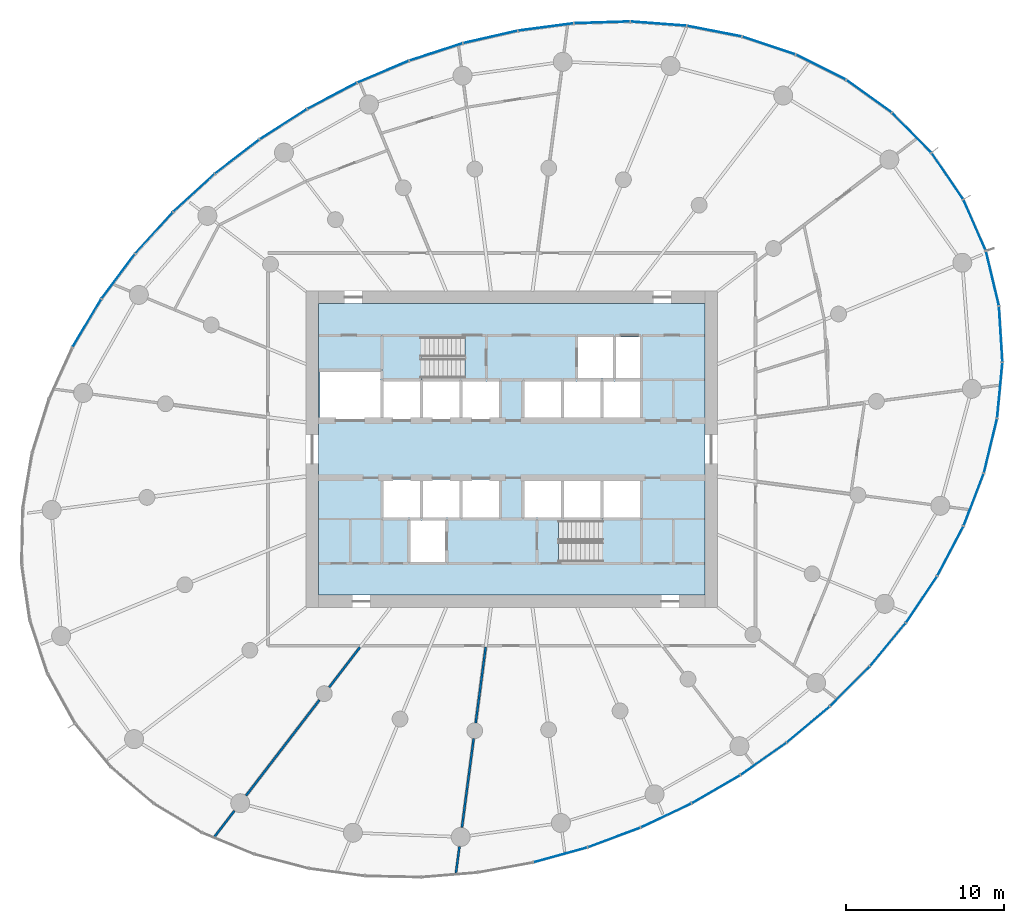
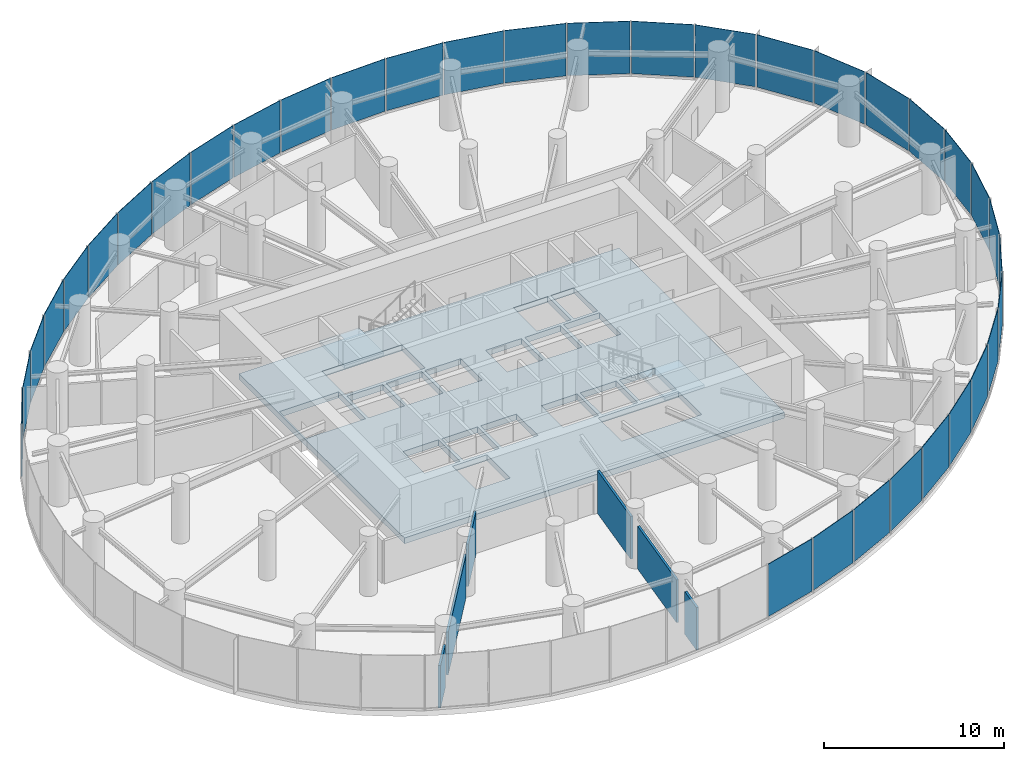
# One storey, part 10 of 18: 35 plates, 6 walls, 3 slabs, 10 elements without a shape of their own.
"""IFC4 building model written with IfcOpenShell, lengths in metres."""

from ifc_helpers import new_model, si_unit, direction, frame, frame_2d, origin, origin_2d, place, context, subcontext, project, spatial, line, indexed_curve, rectangle, outline, extrude, source, transform, mapped, material, layer, layer_set, type_object, element, aggregate, save


model = new_model("IFC4")

# Units and contexts
model_context = context("Model", 3, precision=1e-05, world=origin(), true_north=direction((0.0, 1.0)))
body_context = subcontext(model_context, "Body", "Model", "MODEL_VIEW")
ifc_project = project(units=[si_unit("LENGTHUNIT", "METRE"), si_unit("AREAUNIT", "SQUARE_METRE"), si_unit("VOLUMEUNIT", "CUBIC_METRE"), si_unit("PLANEANGLEUNIT", "RADIAN"), si_unit("MASSUNIT", "GRAM", prefix="KILO")], contexts=[model_context])

# Site, building, storey
site_placement = place(None, origin())
site = spatial("IfcSite", under=ifc_project, at=site_placement, CompositionType="ELEMENT")
building_placement = place(site_placement, origin())
building = spatial("IfcBuilding", under=site, at=building_placement, Name="Spindrift Exchange Tower", CompositionType="ELEMENT")
storey_placement = place(building_placement, frame((0.0, 0.0, 116.699951171875)))
storey = spatial("IfcBuildingStorey", under=building, at=storey_placement, Name="L27", CompositionType="ELEMENT", Elevation=116.699951171875)

# Slab
ifc_material_1 = material(Name="Concrete 50 MPa", Category="concrete")
ifc_layer_1 = layer(ifc_material_1, 0.39990234375)
ifc_layer_set_1 = layer_set([ifc_layer_1], Name="SL-CORE-FLOOR-400")
slab_type_1 = type_object("IfcSlabType", Name="SL-CORE-FLOOR-400", PredefinedType="FLOOR", material=ifc_layer_set_1)
slab_1_placement = place(storey_placement, frame((0.0, 0.0, -0.39990234375)))
element("IfcSlab", 1, at=slab_1_placement, inside=storey, type_object=slab_type_1, Name="L27 Core floor slab", PredefinedType="FLOOR", context=body_context, shape_type="SweptSolid", body=[
    extrude(outline(indexed_curve([(39.800048828125, 38.800048828125), (39.800048828125, 57.199951171875), (64.199951171875, 57.199951171875), (64.199951171875, 38.800048828125)], segments=[line(1, 2, 3, 4, 1)], self_intersect=False), holes=[indexed_curve([(47.800048828125, 43.5), (45.60009765625, 43.5), (45.60009765625, 40.89990234375), (47.800048828125, 40.89990234375)], segments=[line(1, 2, 3, 4, 1)], self_intersect=False), indexed_curve([(46.199951171875, 46.10009765625), (43.89990234375, 46.10009765625), (43.89990234375, 43.699951171875), (46.199951171875, 43.699951171875)], segments=[line(1, 2, 3, 4, 1)], self_intersect=False), indexed_curve([(48.699951171875, 46.10009765625), (46.39990234375, 46.10009765625), (46.39990234375, 43.699951171875), (48.699951171875, 43.699951171875)], segments=[line(1, 2, 3, 4, 1)], self_intersect=False), indexed_curve([(51.199951171875, 46.10009765625), (48.89990234375, 46.10009765625), (48.89990234375, 43.699951171875), (51.199951171875, 43.699951171875)], segments=[line(1, 2, 3, 4, 1)], self_intersect=False), indexed_curve([(46.199951171875, 52.300048828125), (43.89990234375, 52.300048828125), (43.89990234375, 49.89990234375), (46.199951171875, 49.89990234375)], segments=[line(1, 2, 3, 4, 1)], self_intersect=False), indexed_curve([(48.699951171875, 52.300048828125), (46.39990234375, 52.300048828125), (46.39990234375, 49.89990234375), (48.699951171875, 49.89990234375)], segments=[line(1, 2, 3, 4, 1)], self_intersect=False), indexed_curve([(51.199951171875, 52.300048828125), (48.89990234375, 52.300048828125), (48.89990234375, 49.89990234375), (51.199951171875, 49.89990234375)], segments=[line(1, 2, 3, 4, 1)], self_intersect=False), indexed_curve([(43.699951171875, 49.89990234375), (43.699951171875, 52.89990234375), (39.89990234375, 52.89990234375), (39.89990234375, 49.89990234375)], segments=[line(1, 2, 3, 4, 1)], self_intersect=False), indexed_curve([(49.0439453125, 55.093994140625), (43.906005859375, 55.093994140625), (43.906005859375, 52.506103515625), (49.0439453125, 52.506103515625)], segments=[line(1, 2, 3, 4, 1)], self_intersect=False), indexed_curve([(60.093994140625, 40.906005859375), (60.093994140625, 43.493896484375), (54.9560546875, 43.493896484375), (54.9560546875, 40.906005859375)], segments=[line(1, 2, 3, 4, 1)], self_intersect=False), indexed_curve([(55.10009765625, 46.10009765625), (52.800048828125, 46.10009765625), (52.800048828125, 43.699951171875), (55.10009765625, 43.699951171875)], segments=[line(1, 2, 3, 4, 1)], self_intersect=False), indexed_curve([(57.60009765625, 46.10009765625), (55.300048828125, 46.10009765625), (55.300048828125, 43.699951171875), (57.60009765625, 43.699951171875)], segments=[line(1, 2, 3, 4, 1)], self_intersect=False), indexed_curve([(60.10009765625, 46.10009765625), (57.800048828125, 46.10009765625), (57.800048828125, 43.699951171875), (60.10009765625, 43.699951171875)], segments=[line(1, 2, 3, 4, 1)], self_intersect=False), indexed_curve([(55.10009765625, 52.300048828125), (52.800048828125, 52.300048828125), (52.800048828125, 49.89990234375), (55.10009765625, 49.89990234375)], segments=[line(1, 2, 3, 4, 1)], self_intersect=False), indexed_curve([(57.60009765625, 52.300048828125), (55.300048828125, 52.300048828125), (55.300048828125, 49.89990234375), (57.60009765625, 49.89990234375)], segments=[line(1, 2, 3, 4, 1)], self_intersect=False), indexed_curve([(60.10009765625, 52.300048828125), (57.800048828125, 52.300048828125), (57.800048828125, 49.89990234375), (60.10009765625, 49.89990234375)], segments=[line(1, 2, 3, 4, 1)], self_intersect=False), indexed_curve([(58.39990234375, 52.5), (58.39990234375, 55.10009765625), (56.199951171875, 55.10009765625), (56.199951171875, 52.5)], segments=[line(1, 2, 3, 4, 1)], self_intersect=False), indexed_curve([(60.10009765625, 52.5), (60.10009765625, 55.10009765625), (58.60009765625, 55.10009765625), (58.60009765625, 52.5)], segments=[line(1, 2, 3, 4, 1)], self_intersect=False)]), origin(), (0.0, 0.0, 1.0), 0.39990234375),
])

# Stair, slab
stair_type = type_object("IfcStairType", Name="ST-1250-R186", PredefinedType="HALF_TURN_STAIR", material=ifc_material_1)
stair_1_placement = place(storey_placement, origin())
stair_1 = element("IfcStair", 2, at=stair_1_placement, inside=storey, type_object=stair_type, Name="L27 Exit stair ST1", PredefinedType="HALF_TURN_STAIR")
ifc_layer_2 = layer(ifc_material_1, 0.199951171875)
ifc_layer_set_2 = layer_set([ifc_layer_2], Name="SL-LANDING")
slab_type_2 = type_object("IfcSlabType", Name="SL-LANDING", PredefinedType="LANDING", material=ifc_layer_set_2)
slab_2_placement = place(storey_placement, frame((0.0, 0.0, 1.85009765625)))
slab_2 = element("IfcSlab", 3, at=slab_2_placement, type_object=slab_type_2, Name="ST1 landing 1", PredefinedType="LANDING", context=body_context, shape_type="SweptSolid", body=[
    extrude(outline(indexed_curve([(46.330078125, 52.39990234375), (43.800048828125, 52.39990234375), (43.800048828125, 55.199951171875), (46.330078125, 55.199951171875)], segments=[line(1, 2, 3, 4, 1)], self_intersect=False)), origin(), (0.0, 0.0, 1.0), 0.199951171875),
])
aggregate(stair_1, [slab_2])

stair_2_placement = place(storey_placement, origin())
stair_2 = element("IfcStair", 4, at=stair_2_placement, inside=storey, type_object=stair_type, Name="L27 Exit stair ST2", PredefinedType="HALF_TURN_STAIR")
slab_3_placement = place(storey_placement, frame((0.0, 0.0, 1.85009765625)))
slab_3 = element("IfcSlab", 5, at=slab_3_placement, type_object=slab_type_2, Name="ST2 landing 1", PredefinedType="LANDING", context=body_context, shape_type="SweptSolid", body=[
    extrude(outline(indexed_curve([(57.669921875, 43.60009765625), (60.199951171875, 43.60009765625), (60.199951171875, 40.800048828125), (57.669921875, 40.800048828125)], segments=[line(1, 2, 3, 4, 1)], self_intersect=False)), origin(), (0.0, 0.0, 1.0), 0.199951171875),
])
aggregate(stair_2, [slab_3])

# Curtain wall, plates
ifc_material_2 = material(Name="Fritted laminated glass with bronze frame", Category="glass")
ifc_layer_3 = layer(ifc_material_2, 0.18994140625)
ifc_layer_set_3 = layer_set([ifc_layer_3], Name="ZONE 2 BRONZE FRITTED WALL")
curtain_wall_type = type_object("IfcCurtainWallType", Name="ZONE 2 BRONZE FRITTED WALL", PredefinedType="NOTDEFINED", material=ifc_layer_set_3)
curtain_wall_1_placement = place(storey_placement, origin())
curtain_wall_1 = element("IfcCurtainWall", 6, at=curtain_wall_1_placement, inside=storey, type_object=curtain_wall_type, Name="L27 Zone 2 Bronze Fritted Wall run 2", PredefinedType="NOTDEFINED")
ifc_material_3 = material(Name="Bronze fritted laminated glass, close frit", Category="glass")
ifc_layer_4 = layer(ifc_material_3, 0.033935546875)
ifc_layer_set_4 = layer_set([ifc_layer_4], Name="ZONE 2 BRONZE FRITTED WALL PANEL CLOSE FRIT 300")
plate_type_1 = type_object("IfcPlateType", Name="ZONE 2 BRONZE FRITTED WALL PANEL CLOSE FRIT 300", PredefinedType="CURTAIN_PANEL", material=ifc_layer_set_4)
shared_shape_1 = source(origin(), body_context, "Body", "SweptSolid", [
    extrude(rectangle(XDim=3.491455078125, YDim=0.033935546875, at=origin_2d()), origin(), (0.0, 0.0, 1.0), 3.56005859375),
])
plate_1_placement = place(storey_placement, frame((54.158203125, 74.67529296875, 0.14013671875), z_axis=(0.0, 0.0, 1.0), x_axis=(-0.991419327579, -0.130719994269, 0.0)))
plate_1 = element("IfcPlate", 7, at=plate_1_placement, type_object=plate_type_1, Name="L27 panel CW-2.9", PredefinedType="CURTAIN_PANEL", context=body_context, shape_type="MappedRepresentation", body=[
    mapped(shared_shape_1, transform((0.0, 0.0, 0.0), scale=1.0)),
])
ifc_layer_5 = layer(ifc_material_3, 0.033935546875)
ifc_layer_set_5 = layer_set([ifc_layer_5], Name="ZONE 2 BRONZE FRITTED WALL PANEL CLOSE FRIT 420")
plate_type_2 = type_object("IfcPlateType", Name="ZONE 2 BRONZE FRITTED WALL PANEL CLOSE FRIT 420", PredefinedType="CURTAIN_PANEL", material=ifc_layer_set_5)
shared_shape_2 = source(origin(), body_context, "Body", "SweptSolid", [
    extrude(rectangle(XDim=3.49169921875, YDim=0.033935546875, at=origin_2d()), origin(), (0.0, 0.0, 1.0), 3.56005859375),
])
plate_2_placement = place(storey_placement, frame((50.65185546875, 74.045166015625, 0.14013671875), z_axis=(0.0, 0.0, 1.0), x_axis=(-0.97489155863, -0.222680149343, 0.0)))
plate_2 = element("IfcPlate", 8, at=plate_2_placement, type_object=plate_type_2, Name="L27 panel CW-2.10", PredefinedType="CURTAIN_PANEL", context=body_context, shape_type="MappedRepresentation", body=[
    mapped(shared_shape_2, transform((0.0, 0.0, 0.0), scale=1.0)),
])
plate_3_placement = place(storey_placement, frame((43.878173828125, 71.85302734375, 0.14013671875), z_axis=(0.0, 0.0, 1.0), x_axis=(-0.921101169466, -0.389323304733, 0.0)))
plate_3 = element("IfcPlate", 9, at=plate_3_placement, type_object=plate_type_2, Name="L27 panel CW-2.12", PredefinedType="CURTAIN_PANEL", context=body_context, shape_type="MappedRepresentation", body=[
    mapped(shared_shape_2, transform((0.0, 0.0, 0.0), scale=1.0)),
])

# Curtain wall, plate
curtain_wall_2_placement = place(storey_placement, origin())
curtain_wall_2 = element("IfcCurtainWall", 10, at=curtain_wall_2_placement, inside=storey, type_object=curtain_wall_type, Name="L27 Zone 2 Bronze Fritted Wall run 3", PredefinedType="NOTDEFINED")
plate_4_placement = place(storey_placement, frame((40.65771484375, 70.328125, 0.14013671875), z_axis=(0.0, 0.0, 1.0), x_axis=(-0.88489579073, -0.465789050482, 0.0)))
plate_4 = element("IfcPlate", 11, at=plate_4_placement, type_object=plate_type_2, Name="L27 panel CW-2.13", PredefinedType="CURTAIN_PANEL", context=body_context, shape_type="MappedRepresentation", body=[
    mapped(shared_shape_2, transform((0.0, 0.0, 0.0), scale=1.0)),
])

curtain_wall_3_placement = place(storey_placement, origin())
curtain_wall_3 = element("IfcCurtainWall", 12, at=curtain_wall_3_placement, inside=storey, type_object=curtain_wall_type, Name="L27 Zone 2 Bronze Fritted Wall run 6", PredefinedType="NOTDEFINED")
plate_5_placement = place(storey_placement, frame((55.075927734375, 22.390380859375, 0.14013671875), z_axis=(0.0, 0.0, 1.0), x_axis=(0.963888863602, 0.266304822758, 0.0)))
plate_5 = element("IfcPlate", 13, at=plate_5_placement, type_object=plate_type_2, Name="L27 panel CW-2.36", PredefinedType="CURTAIN_PANEL", context=body_context, shape_type="MappedRepresentation", body=[
    mapped(shared_shape_2, transform((0.0, 0.0, 0.0), scale=1.0)),
])
aggregate(curtain_wall_3, [plate_5])

# Curtain wall, plates
curtain_wall_4_placement = place(storey_placement, origin())
curtain_wall_4 = element("IfcCurtainWall", 14, at=curtain_wall_4_placement, inside=storey, type_object=curtain_wall_type, Name="L27 Zone 2 Bronze Fritted Wall run 7", PredefinedType="NOTDEFINED")
plate_6_placement = place(storey_placement, frame((58.4658203125, 23.488525390625, 0.14013671875), z_axis=(0.0, 0.0, 1.0), x_axis=(0.936917672008, 0.349550104963, 0.0)))
plate_6 = element("IfcPlate", 15, at=plate_6_placement, type_object=plate_type_2, Name="L27 panel CW-2.37", PredefinedType="CURTAIN_PANEL", context=body_context, shape_type="MappedRepresentation", body=[
    mapped(shared_shape_2, transform((0.0, 0.0, 0.0), scale=1.0)),
])
plate_7_placement = place(storey_placement, frame((64.901611328125, 26.534912109375, 0.14013671875), z_axis=(0.0, 0.0, 1.0), x_axis=(0.864491571687, 0.502647314209, 0.0)))
plate_7 = element("IfcPlate", 16, at=plate_7_placement, type_object=plate_type_2, Name="L27 panel CW-2.39", PredefinedType="CURTAIN_PANEL", context=body_context, shape_type="MappedRepresentation", body=[
    mapped(shared_shape_2, transform((0.0, 0.0, 0.0), scale=1.0)),
])
plate_8_placement = place(storey_placement, frame((70.730712890625, 30.6240234375, 0.14013671875), z_axis=(0.0, 0.0, 1.0), x_axis=(0.766439198887, 0.642316864491, 0.0)))
plate_8 = element("IfcPlate", 17, at=plate_8_placement, type_object=plate_type_2, Name="L27 panel CW-2.41", PredefinedType="CURTAIN_PANEL", context=body_context, shape_type="MappedRepresentation", body=[
    mapped(shared_shape_2, transform((0.0, 0.0, 0.0), scale=1.0)),
])

# Plate
shared_shape_3 = source(origin(), body_context, "Body", "SweptSolid", [
    extrude(rectangle(XDim=3.49169921875, YDim=0.033935546875, at=origin_2d()), origin(), (0.0, 0.0, 1.0), 3.56005859375),
])
plate_9_placement = place(storey_placement, frame((34.659423828125, 66.490966796875, 0.14013671875), z_axis=(0.0, 0.0, 1.0), x_axis=(-0.793565789779, -0.608484459368, 0.0)))
plate_9 = element("IfcPlate", 18, at=plate_9_placement, type_object=plate_type_1, Name="L27 panel CW-2.15", PredefinedType="CURTAIN_PANEL", context=body_context, shape_type="MappedRepresentation", body=[
    mapped(shared_shape_3, transform((0.0, 0.0, 0.0), scale=1.0)),
])

plate_10_placement = place(storey_placement, frame((31.92919921875, 64.201416015625, 0.14013671875), z_axis=(0.0, 0.0, 1.0), x_axis=(-0.737369301911, -0.675489831603, 0.0)))
plate_10 = element("IfcPlate", 19, at=plate_10_placement, type_object=plate_type_1, Name="L27 panel CW-2.16", PredefinedType="CURTAIN_PANEL", context=body_context, shape_type="MappedRepresentation", body=[
    mapped(shared_shape_3, transform((0.0, 0.0, 0.0), scale=1.0)),
])

ifc_layer_6 = layer(ifc_material_3, 0.033935546875)
ifc_layer_set_6 = layer_set([ifc_layer_6], Name="ZONE 2 BRONZE FRITTED WALL PANEL CLOSE FRIT 540")
plate_type_3 = type_object("IfcPlateType", Name="ZONE 2 BRONZE FRITTED WALL PANEL CLOSE FRIT 540", PredefinedType="CURTAIN_PANEL", material=ifc_layer_set_6)
shared_shape_4 = source(origin(), body_context, "Body", "SweptSolid", [
    extrude(rectangle(XDim=3.49169921875, YDim=0.033935546875, at=origin_2d()), origin(), (0.0, 0.0, 1.0), 3.56005859375),
])
plate_11_placement = place(storey_placement, frame((47.21728515625, 73.09765625, 0.14013671875), z_axis=(0.0, 0.0, 1.0), x_axis=(-0.951195568661, -0.308588707117, 0.0)))
plate_11 = element("IfcPlate", 20, at=plate_11_placement, type_object=plate_type_3, Name="L27 panel CW-2.11", PredefinedType="CURTAIN_PANEL", context=body_context, shape_type="MappedRepresentation", body=[
    mapped(shared_shape_4, transform((0.0, 0.0, 0.0), scale=1.0)),
])

plate_12_placement = place(storey_placement, frame((37.576904296875, 68.536865234375, 0.14013671875), z_axis=(0.0, 0.0, 1.0), x_axis=(-0.842500350623, -0.538695794675, 0.0)))
plate_12 = element("IfcPlate", 21, at=plate_12_placement, type_object=plate_type_3, Name="L27 panel CW-2.14", PredefinedType="CURTAIN_PANEL", context=body_context, shape_type="MappedRepresentation", body=[
    mapped(shared_shape_4, transform((0.0, 0.0, 0.0), scale=1.0)),
])

plate_13_placement = place(storey_placement, frame((61.748291015625, 24.875244140625, 0.14013671875), z_axis=(0.0, 0.0, 1.0), x_axis=(0.90375633709, 0.42804729081, 0.0)))
plate_13 = element("IfcPlate", 22, at=plate_13_placement, type_object=plate_type_3, Name="L27 panel CW-2.38", PredefinedType="CURTAIN_PANEL", context=body_context, shape_type="MappedRepresentation", body=[
    mapped(shared_shape_4, transform((0.0, 0.0, 0.0), scale=1.0)),
])

plate_14_placement = place(storey_placement, frame((67.903564453125, 28.455078125, 0.14013671875), z_axis=(0.0, 0.0, 1.0), x_axis=(0.818887672293, 0.573953813617, 0.0)))
plate_14 = element("IfcPlate", 23, at=plate_14_placement, type_object=plate_type_3, Name="L27 panel CW-2.40", PredefinedType="CURTAIN_PANEL", context=body_context, shape_type="MappedRepresentation", body=[
    mapped(shared_shape_4, transform((0.0, 0.0, 0.0), scale=1.0)),
])

shared_shape_5 = source(origin(), body_context, "Body", "SweptSolid", [
    extrude(rectangle(XDim=3.4912109375, YDim=0.033935546875, at=origin_2d()), origin(), (0.0, 0.0, 1.0), 3.56005859375),
])
plate_15_placement = place(storey_placement, frame((27.147216796875, 58.929931640625, 0.14013671875), z_axis=(0.0, 0.0, 1.0), x_axis=(-0.598644798216, -0.801014610085, 0.0)))
plate_15 = element("IfcPlate", 24, at=plate_15_placement, type_object=plate_type_1, Name="L27 panel CW-2.18", PredefinedType="CURTAIN_PANEL", context=body_context, shape_type="MappedRepresentation", body=[
    mapped(shared_shape_5, transform((0.0, 0.0, 0.0), scale=1.0)),
])

# Curtain wall, plate
curtain_wall_5_placement = place(storey_placement, origin())
curtain_wall_5 = element("IfcCurtainWall", 25, at=curtain_wall_5_placement, inside=storey, type_object=curtain_wall_type, Name="L27 Zone 2 Bronze Fritted Wall run 4", PredefinedType="NOTDEFINED")
plate_16_placement = place(storey_placement, frame((25.164794921875, 55.97119140625, 0.14013671875), z_axis=(0.0, 0.0, 1.0), x_axis=(-0.513030477566, -0.858370391549, 0.0)))
plate_16 = element("IfcPlate", 26, at=plate_16_placement, type_object=plate_type_1, Name="L27 panel CW-2.19", PredefinedType="CURTAIN_PANEL", context=body_context, shape_type="MappedRepresentation", body=[
    mapped(shared_shape_5, transform((0.0, 0.0, 0.0), scale=1.0)),
])
aggregate(curtain_wall_5, [plate_16])

curtain_wall_6_placement = place(storey_placement, origin())
curtain_wall_6 = element("IfcCurtainWall", 27, at=curtain_wall_6_placement, inside=storey, type_object=curtain_wall_type, Name="L27 Zone 2 Bronze Fritted Wall run 8", PredefinedType="NOTDEFINED")
plate_17_placement = place(storey_placement, frame((77.882080078125, 38.52392578125, 0.14013671875), z_axis=(0.0, 0.0, 1.0), x_axis=(0.557382894718, 0.83025556829, 0.0)))
plate_17 = element("IfcPlate", 28, at=plate_17_placement, type_object=plate_type_1, Name="L27 panel CW-2.44", PredefinedType="CURTAIN_PANEL", context=body_context, shape_type="MappedRepresentation", body=[
    mapped(shared_shape_5, transform((0.0, 0.0, 0.0), scale=1.0)),
])

curtain_wall_7_placement = place(storey_placement, origin())
curtain_wall_7 = element("IfcCurtainWall", 29, at=curtain_wall_7_placement, inside=storey, type_object=curtain_wall_type, Name="L27 Zone 2 Bronze Fritted Wall run 1", PredefinedType="NOTDEFINED")
shared_shape_6 = source(origin(), body_context, "Body", "SweptSolid", [
    extrude(rectangle(XDim=3.48779296875, YDim=0.033935546875, at=origin_2d()), origin(), (0.0, 0.0, 1.0), 3.56005859375),
])
plate_18_placement = place(storey_placement, frame((79.516357421875, 65.260498046875, 0.14013671875), z_axis=(0.0, 0.0, 1.0), x_axis=(-0.562803485023, 0.826590731406, 0.0)))
plate_18 = element("IfcPlate", 30, at=plate_18_placement, type_object=plate_type_2, Name="L27 panel CW-2.1", PredefinedType="CURTAIN_PANEL", context=body_context, shape_type="MappedRepresentation", body=[
    mapped(shared_shape_6, transform((0.0, 0.0, 0.0), scale=1.0)),
])

# Curtain wall, plates
curtain_wall_8_placement = place(storey_placement, origin())
curtain_wall_8 = element("IfcCurtainWall", 31, at=curtain_wall_8_placement, inside=storey, type_object=curtain_wall_type, Name="L27 Zone 2 Bronze Fritted Wall run 9", PredefinedType="NOTDEFINED")
shared_shape_7 = source(origin(), body_context, "Body", "SweptSolid", [
    extrude(rectangle(XDim=3.48779296875, YDim=0.033935546875, at=origin_2d()), origin(), (0.0, 0.0, 1.0), 3.56005859375),
])
plate_19_placement = place(storey_placement, frame((81.234619140625, 62.156982421875, 0.14013671875), z_axis=(0.0, 0.0, 1.0), x_axis=(-0.401773572918, 0.915739043672, 0.0)))
plate_19 = element("IfcPlate", 32, at=plate_19_placement, type_object=plate_type_3, Name="L27 panel CW-2.51", PredefinedType="CURTAIN_PANEL", context=body_context, shape_type="MappedRepresentation", body=[
    mapped(shared_shape_7, transform((0.0, 0.0, 0.0), scale=1.0)),
])
shared_shape_8 = source(origin(), body_context, "Body", "SweptSolid", [
    extrude(rectangle(XDim=3.488037109375, YDim=0.033935546875, at=origin_2d()), origin(), (0.0, 0.0, 1.0), 3.56005859375),
])
plate_20_placement = place(storey_placement, frame((82.361083984375, 58.792236328125, 0.14013671875), z_axis=(0.0, 0.0, 1.0), x_axis=(-0.230671347634, 0.973031720645, 0.0)))
plate_20 = element("IfcPlate", 33, at=plate_20_placement, type_object=plate_type_1, Name="L27 panel CW-2.50", PredefinedType="CURTAIN_PANEL", context=body_context, shape_type="MappedRepresentation", body=[
    mapped(shared_shape_8, transform((0.0, 0.0, 0.0), scale=1.0)),
])

# Plate
shared_shape_9 = source(origin(), body_context, "Body", "SweptSolid", [
    extrude(rectangle(XDim=3.48876953125, YDim=0.033935546875, at=origin_2d()), origin(), (0.0, 0.0, 1.0), 3.56005859375),
])
plate_21_placement = place(storey_placement, frame((74.563232421875, 70.3076171875, 0.14013671875), z_axis=(0.0, 0.0, 1.0), x_axis=(-0.812944268256, 0.582341494923, 0.0)))
plate_21 = element("IfcPlate", 34, at=plate_21_placement, type_object=plate_type_2, Name="L27 panel CW-2.3", PredefinedType="CURTAIN_PANEL", context=body_context, shape_type="MappedRepresentation", body=[
    mapped(shared_shape_9, transform((0.0, 0.0, 0.0), scale=1.0)),
])

plate_22_placement = place(storey_placement, frame((82.882568359375, 55.2802734375, 0.14013671875), z_axis=(0.0, 0.0, 1.0), x_axis=(-0.061985748221, 0.998077034611, 0.0)))
plate_22 = element("IfcPlate", 35, at=plate_22_placement, type_object=plate_type_2, Name="L27 panel CW-2.49", PredefinedType="CURTAIN_PANEL", context=body_context, shape_type="MappedRepresentation", body=[
    mapped(shared_shape_9, transform((0.0, 0.0, 0.0), scale=1.0)),
])

aggregate(curtain_wall_8, [plate_22, plate_20, plate_19])

shared_shape_10 = source(origin(), body_context, "Body", "SweptSolid", [
    extrude(rectangle(XDim=3.489990234375, YDim=0.033935546875, at=origin_2d()), origin(), (0.0, 0.0, 1.0), 3.56005859375),
])
plate_23_placement = place(storey_placement, frame((82.234375, 48.22119140625, 0.14013671875), z_axis=(0.0, 0.0, 1.0), x_axis=(0.235652694613, 0.971837335937, 0.0)))
plate_23 = element("IfcPlate", 36, at=plate_23_placement, type_object=plate_type_3, Name="L27 panel CW-2.47", PredefinedType="CURTAIN_PANEL", context=body_context, shape_type="MappedRepresentation", body=[
    mapped(shared_shape_10, transform((0.0, 0.0, 0.0), scale=1.0)),
])

shared_shape_11 = source(origin(), body_context, "Body", "SweptSolid", [
    extrude(rectangle(XDim=3.4912109375, YDim=0.033935546875, at=origin_2d()), origin(), (0.0, 0.0, 1.0), 3.56005859375),
])
plate_24_placement = place(storey_placement, frame((57.708251953125, 74.96484375, 0.14013671875), z_axis=(0.0, 0.0, 1.0), x_axis=(-0.99949962861, -0.03163056129, 0.0)))
plate_24 = element("IfcPlate", 37, at=plate_24_placement, type_object=plate_type_2, Name="L27 panel CW-2.8", PredefinedType="CURTAIN_PANEL", context=body_context, shape_type="MappedRepresentation", body=[
    mapped(shared_shape_11, transform((0.0, 0.0, 0.0), scale=1.0)),
])

shared_shape_12 = source(origin(), body_context, "Body", "SweptSolid", [
    extrude(rectangle(XDim=3.491455078125, YDim=0.033935546875, at=origin_2d()), origin(), (0.0, 0.0, 1.0), 3.56005859375),
])
plate_25_placement = place(storey_placement, frame((29.41455078125, 61.677490234375, 0.14013671875), z_axis=(0.0, 0.0, 1.0), x_axis=(-0.672849843864, -0.739779080275, 0.0)))
plate_25 = element("IfcPlate", 38, at=plate_25_placement, type_object=plate_type_3, Name="L27 panel CW-2.17", PredefinedType="CURTAIN_PANEL", context=body_context, shape_type="MappedRepresentation", body=[
    mapped(shared_shape_12, transform((0.0, 0.0, 0.0), scale=1.0)),
])

aggregate(curtain_wall_2, [plate_4, plate_12, plate_9, plate_10, plate_25, plate_15])

plate_26_placement = place(storey_placement, frame((73.35693359375, 33.031982421875, 0.14013671875), z_axis=(0.0, 0.0, 1.0), x_axis=(0.706208996683, 0.708003427255, 0.0)))
plate_26 = element("IfcPlate", 39, at=plate_26_placement, type_object=plate_type_3, Name="L27 panel CW-2.42", PredefinedType="CURTAIN_PANEL", context=body_context, shape_type="MappedRepresentation", body=[
    mapped(shared_shape_12, transform((0.0, 0.0, 0.0), scale=1.0)),
])

aggregate(curtain_wall_4, [plate_6, plate_13, plate_7, plate_14, plate_8, plate_26])

plate_27_placement = place(storey_placement, frame((75.75244140625, 35.6689453125, 0.14013671875), z_axis=(0.0, 0.0, 1.0), x_axis=(0.637079657513, 0.770797969628, 0.0)))
plate_27 = element("IfcPlate", 40, at=plate_27_placement, type_object=plate_type_3, Name="L27 panel CW-2.43", PredefinedType="CURTAIN_PANEL", context=body_context, shape_type="MappedRepresentation", body=[
    mapped(shared_shape_12, transform((0.0, 0.0, 0.0), scale=1.0)),
])

shared_shape_13 = source(origin(), body_context, "Body", "SweptSolid", [
    extrude(rectangle(XDim=3.489501953125, YDim=0.033935546875, at=origin_2d()), origin(), (0.0, 0.0, 1.0), 3.56005859375),
])
plate_28_placement = place(storey_placement, frame((71.521240234375, 72.1435546875, 0.14013671875), z_axis=(0.0, 0.0, 1.0), x_axis=(-0.894095617651, 0.447876128518, 0.0)))
plate_28 = element("IfcPlate", 41, at=plate_28_placement, type_object=plate_type_1, Name="L27 panel CW-2.4", PredefinedType="CURTAIN_PANEL", context=body_context, shape_type="MappedRepresentation", body=[
    mapped(shared_shape_13, transform((0.0, 0.0, 0.0), scale=1.0)),
])

plate_29_placement = place(storey_placement, frame((82.82373046875, 51.7275390625, 0.14013671875), z_axis=(0.0, 0.0, 1.0), x_axis=(0.095050041284, 0.995472495678, 0.0)))
plate_29 = element("IfcPlate", 42, at=plate_29_placement, type_object=plate_type_1, Name="L27 panel CW-2.48", PredefinedType="CURTAIN_PANEL", context=body_context, shape_type="MappedRepresentation", body=[
    mapped(shared_shape_13, transform((0.0, 0.0, 0.0), scale=1.0)),
])

shared_shape_14 = source(origin(), body_context, "Body", "SweptSolid", [
    extrude(rectangle(XDim=3.488037109375, YDim=0.033935546875, at=origin_2d()), origin(), (0.0, 0.0, 1.0), 3.56005859375),
])
plate_30_placement = place(storey_placement, frame((77.262939453125, 68.001708984375, 0.14013671875), z_axis=(0.0, 0.0, 1.0), x_axis=(-0.702164237388, 0.712015016509, 0.0)))
plate_30 = element("IfcPlate", 43, at=plate_30_placement, type_object=plate_type_3, Name="L27 panel CW-2.2", PredefinedType="CURTAIN_PANEL", context=body_context, shape_type="MappedRepresentation", body=[
    mapped(shared_shape_14, transform((0.0, 0.0, 0.0), scale=1.0)),
])

shared_shape_15 = source(origin(), body_context, "Body", "SweptSolid", [
    extrude(rectangle(XDim=3.490966796875, YDim=0.033935546875, at=origin_2d()), origin(), (0.0, 0.0, 1.0), 3.56005859375),
])
plate_31_placement = place(storey_placement, frame((61.268310546875, 74.886474609375, 0.14013671875), z_axis=(0.0, 0.0, 1.0), x_axis=(-0.997142047208, 0.075549571083, 0.0)))
plate_31 = element("IfcPlate", 44, at=plate_31_placement, type_object=plate_type_1, Name="L27 panel CW-2.7", PredefinedType="CURTAIN_PANEL", context=body_context, shape_type="MappedRepresentation", body=[
    mapped(shared_shape_15, transform((0.0, 0.0, 0.0), scale=1.0)),
])

aggregate(curtain_wall_1, [plate_31, plate_24, plate_1, plate_2, plate_11, plate_3])

shared_shape_16 = source(origin(), body_context, "Body", "SweptSolid", [
    extrude(rectangle(XDim=3.490966796875, YDim=0.033935546875, at=origin_2d()), origin(), (0.0, 0.0, 1.0), 3.56005859375),
])
plate_32_placement = place(storey_placement, frame((79.705810546875, 41.58251953125, 0.14013671875), z_axis=(0.0, 0.0, 1.0), x_axis=(0.46529321393, 0.885156610477, 0.0)))
plate_32 = element("IfcPlate", 45, at=plate_32_placement, type_object=plate_type_3, Name="L27 panel CW-2.45", PredefinedType="CURTAIN_PANEL", context=body_context, shape_type="MappedRepresentation", body=[
    mapped(shared_shape_16, transform((0.0, 0.0, 0.0), scale=1.0)),
])

shared_shape_17 = source(origin(), body_context, "Body", "SweptSolid", [
    extrude(rectangle(XDim=3.490478515625, YDim=0.033935546875, at=origin_2d()), origin(), (0.0, 0.0, 1.0), 3.56005859375),
])
plate_33_placement = place(storey_placement, frame((64.7958984375, 74.410400390625, 0.14013671875), z_axis=(0.0, 0.0, 1.0), x_axis=(-0.981492063293, 0.191502819018, 0.0)))
plate_33 = element("IfcPlate", 46, at=plate_33_placement, type_object=plate_type_3, Name="L27 panel CW-2.6", PredefinedType="CURTAIN_PANEL", context=body_context, shape_type="MappedRepresentation", body=[
    mapped(shared_shape_17, transform((0.0, 0.0, 0.0), scale=1.0)),
])

plate_34_placement = place(storey_placement, frame((81.1748046875, 44.82470703125, 0.14013671875), z_axis=(0.0, 0.0, 1.0), x_axis=(0.358692179564, 0.933455901647, 0.0)))
plate_34 = element("IfcPlate", 47, at=plate_34_placement, type_object=plate_type_3, Name="L27 panel CW-2.46", PredefinedType="CURTAIN_PANEL", context=body_context, shape_type="MappedRepresentation", body=[
    mapped(shared_shape_17, transform((0.0, 0.0, 0.0), scale=1.0)),
])

aggregate(curtain_wall_6, [plate_27, plate_17, plate_32, plate_34, plate_23, plate_29])

shared_shape_18 = source(origin(), body_context, "Body", "SweptSolid", [
    extrude(rectangle(XDim=3.489990234375, YDim=0.033935546875, at=origin_2d()), origin(), (0.0, 0.0, 1.0), 3.56005859375),
])
plate_35_placement = place(storey_placement, frame((68.23681640625, 73.50537109375, 0.14013671875), z_axis=(0.0, 0.0, 1.0), x_axis=(-0.948700123819, 0.316177284235, 0.0)))
plate_35 = element("IfcPlate", 48, at=plate_35_placement, type_object=plate_type_1, Name="L27 panel CW-2.5", PredefinedType="CURTAIN_PANEL", context=body_context, shape_type="MappedRepresentation", body=[
    mapped(shared_shape_18, transform((0.0, 0.0, 0.0), scale=1.0)),
])

aggregate(curtain_wall_7, [plate_18, plate_30, plate_21, plate_28, plate_35, plate_33])

# Walls
ifc_material_4 = material(Name="Fire-rated plasterboard partition", Category="gypsum")
ifc_layer_7 = layer(ifc_material_4, 0.139892578125)
ifc_layer_set_7 = layer_set([ifc_layer_7], Name="W-PLANT-140")
wall_type = type_object("IfcWallType", Name="W-PLANT-140", PredefinedType="PARTITIONING", material=ifc_layer_set_7)
wall_1_placement = place(storey_placement, frame((39.85791015625, 32.176025390625, 0.0), z_axis=(0.0, 0.0, 1.0), x_axis=(-0.608755907151, -0.793357577331, 0.0)))
element("IfcWall", 49, at=wall_1_placement, inside=storey, type_object=wall_type, Name="L27 Partition wall 65", PredefinedType="PARTITIONING", context=body_context, shape_type="SweptSolid", body=[
    extrude(rectangle(XDim=7.614990234375, YDim=0.139892578125, at=frame_2d((3.8076171875, 0.0))), origin(), (0.0, 0.0, 1.0), 2.900146484375),
])
wall_2_placement = place(storey_placement, frame((49.594970703125, 29.732666015625, 0.0), z_axis=(0.0, 0.0, 1.0), x_axis=(-0.130510314557, -0.991446951578, 0.0)))
element("IfcWall", 50, at=wall_2_placement, inside=storey, type_object=wall_type, Name="L27 Partition wall 75", PredefinedType="PARTITIONING", context=body_context, shape_type="SweptSolid", body=[
    extrude(rectangle(XDim=5.65869140625, YDim=0.139892578125, at=frame_2d((2.829345703125, 0.0))), origin(), (0.0, 0.0, 1.0), 2.900146484375),
])
wall_3_placement = place(storey_placement, frame((50.355712890625, 35.510009765625, 0.0), z_axis=(0.0, 0.0, 1.0), x_axis=(-0.130523979823, -0.991445152639, 0.0)))
element("IfcWall", 51, at=wall_3_placement, inside=storey, type_object=wall_type, Name="L27 Partition wall 82", PredefinedType="PARTITIONING", context=body_context, shape_type="SweptSolid", body=[
    extrude(rectangle(XDim=4.818359375, YDim=0.139892578125, at=frame_2d((2.4091796875, 0.0))), origin(), (0.0, 0.0, 1.0), 2.900146484375),
])
wall_4_placement = place(storey_placement, frame((42.416015625, 35.510009765625, 0.0), z_axis=(0.0, 0.0, 1.0), x_axis=(-0.60874605662, -0.793365135703, 0.0)))
element("IfcWall", 52, at=wall_4_placement, inside=storey, type_object=wall_type, Name="L27 Partition wall 90", PredefinedType="PARTITIONING", context=body_context, shape_type="SweptSolid", body=[
    extrude(rectangle(XDim=3.193603515625, YDim=0.139892578125, at=frame_2d((1.5966796875, 0.0))), origin(), (0.0, 0.0, 1.0), 2.900146484375),
])
wall_5_placement = place(storey_placement, frame((34.486328125, 25.17578125, 0.0), z_axis=(0.0, 0.0, 1.0), x_axis=(-0.608718034157, -0.793386636447, 0.0)))
element("IfcWall", 53, at=wall_5_placement, inside=storey, type_object=wall_type, Name="L27 Partition wall 98", PredefinedType="PARTITIONING", context=body_context, shape_type="SweptSolid", body=[
    extrude(rectangle(XDim=2.05712890625, YDim=0.139892578125, at=frame_2d((1.028564453125, 0.0))), origin(), (0.0, 0.0, 1.0), 2.900146484375),
])
wall_6_placement = place(storey_placement, frame((48.69873046875, 22.924072265625, 0.0), z_axis=(0.0, 0.0, 1.0), x_axis=(-0.130536236518, -0.991443538965, 0.0)))
element("IfcWall", 54, at=wall_6_placement, inside=storey, type_object=wall_type, Name="L27 Partition wall 108", PredefinedType="PARTITIONING", context=body_context, shape_type="SweptSolid", body=[
    extrude(rectangle(XDim=1.7001953125, YDim=0.139892578125, at=frame_2d((0.85009765625, 0.0))), origin(), (0.0, 0.0, 1.0), 2.900146484375),
])

save(model, "model.ifc")
